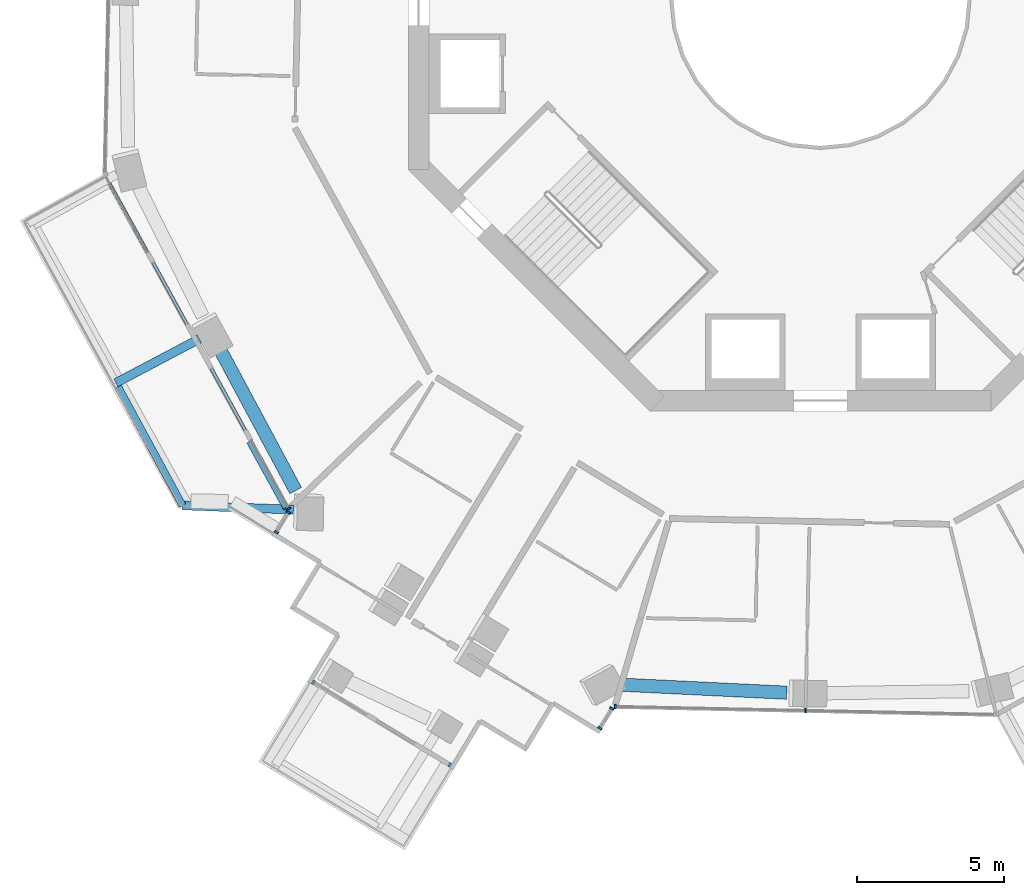
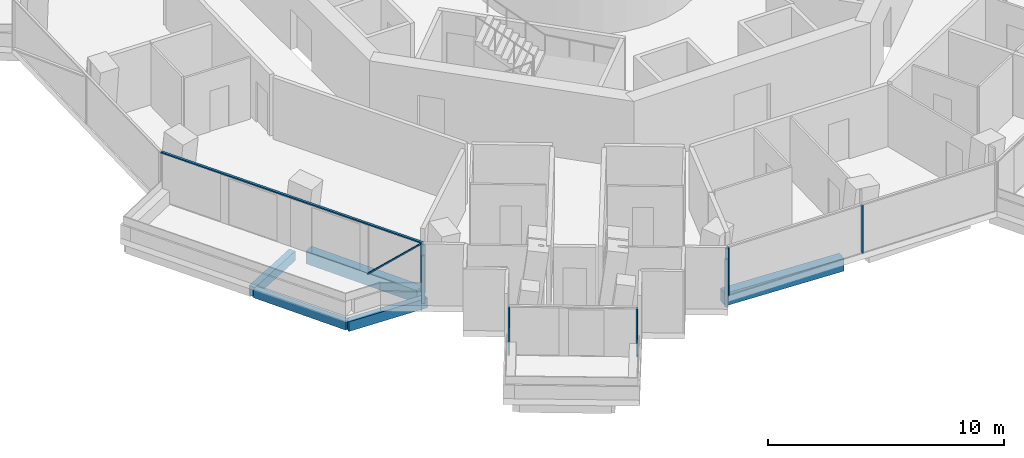
# One storey, part 2 of 22: 11 members, 5 beams, 5 elements without a shape of their own.
"""IFC4 building model written with IfcOpenShell, lengths in metres."""

from ifc_helpers import new_model, si_unit, direction, frame, origin, origin_2d, place, context, subcontext, project, spatial, rectangle, extrude, material, layer, layer_set, material_profile, profile_set, type_object, element, aggregate, save


model = new_model("IFC4")

# Units and contexts
model_context = context("Model", 3, precision=1e-05, world=origin(), true_north=direction((0.0, 1.0)))
body_context = subcontext(model_context, "Body", "Model", "MODEL_VIEW")
ifc_project = project(units=[si_unit("LENGTHUNIT", "METRE"), si_unit("AREAUNIT", "SQUARE_METRE"), si_unit("VOLUMEUNIT", "CUBIC_METRE"), si_unit("PLANEANGLEUNIT", "RADIAN"), si_unit("MASSUNIT", "GRAM", prefix="KILO")], contexts=[model_context])

# Site, building, storey
site_placement = place(None, origin())
site = spatial("IfcSite", under=ifc_project, at=site_placement, CompositionType="ELEMENT")
building_placement = place(site_placement, origin())
building = spatial("IfcBuilding", under=site, at=building_placement, Name="Verdalira Terraces Hotel", CompositionType="ELEMENT")
storey_placement = place(building_placement, frame((0.0, 0.0, 150.5)))
storey = spatial("IfcBuildingStorey", under=building, at=storey_placement, Name="L36", CompositionType="ELEMENT", Elevation=150.5)

# Beams
ifc_material_1 = material(Name="Concrete C40", Category="concrete")
ifc_material_profile_1 = material_profile(ifc_material_1, rectangle(XDim=0.300049, YDim=0.5, at=origin_2d()), Name="RC 300X500")
ifc_profile_set_1 = profile_set([ifc_material_profile_1], Name="Concrete C40")
beam_type_1 = type_object("IfcBeamType", Name="Balcony cantilever beam RC 300X500 C40", PredefinedType="BEAM", material=ifc_profile_set_1)
beam_1_placement = place(storey_placement, frame((-21.102783, -11.552734, -0.560059), z_axis=(-0.884243903, -0.467025396, 0.0), x_axis=(0.467025396, -0.884243903, 0.0)))
element("IfcBeam", 1, at=beam_1_placement, inside=storey, type_object=beam_type_1, Name="Balcony cantilever beam R13-2", PredefinedType="BEAM", context=body_context, shape_type="SweptSolid", body=[
    extrude(rectangle(XDim=0.300049, YDim=0.5, at=origin_2d()), origin(), (0.0, 0.0, 1.0), 3.200928),
])
beam_2_placement = place(storey_placement, frame((-17.908936, -17.354004, -0.560059), z_axis=(-0.999289407, 0.037691927, 0.0), x_axis=(-0.037691927, -0.999289407, 0.0)))
element("IfcBeam", 2, at=beam_2_placement, inside=storey, type_object=beam_type_1, Name="Balcony cantilever beam R13-3", PredefinedType="BEAM", context=body_context, shape_type="SweptSolid", body=[
    extrude(rectangle(XDim=0.300049, YDim=0.5, at=origin_2d()), origin(), (0.0, 0.0, 1.0), 3.769775),
])
ifc_material_2 = material(Name="Concrete C40", Category="concrete")
ifc_material_profile_2 = material_profile(ifc_material_2, rectangle(XDim=0.25, YDim=0.449951, at=origin_2d()), Name="RC 250X450")
ifc_profile_set_2 = profile_set([ifc_material_profile_2], Name="Concrete C40")
beam_type_2 = type_object("IfcBeamType", Name="Balcony edge beam RC 250X450 C40", PredefinedType="BEAM", material=ifc_profile_set_2)
beam_3_placement = place(storey_placement, frame((-23.861572, -13.179443, -0.534912), z_axis=(0.476500906, -0.87917398, 0.0), x_axis=(0.87917398, 0.476500906, 0.0)))
element("IfcBeam", 3, at=beam_3_placement, inside=storey, type_object=beam_type_2, Name="Balcony edge beam R13-2", PredefinedType="BEAM", context=body_context, shape_type="SweptSolid", body=[
    extrude(rectangle(XDim=0.25, YDim=0.449951, at=origin_2d()), origin(), (0.0, 0.0, 1.0), 4.58667),
])

# Curtain wall, member
ifc_material_3 = material(Name="Clear glass", Category="glass")
ifc_layer_1 = layer(ifc_material_3, 0.14990234375)
ifc_layer_set_1 = layer_set([ifc_layer_1], Name="CW1 curtain wall")
curtain_wall_type_1 = type_object("IfcCurtainWallType", Name="CW1 curtain wall", PredefinedType="NOTDEFINED", material=ifc_layer_set_1)
curtain_wall_1_placement = place(storey_placement, origin())
curtain_wall_1 = element("IfcCurtainWall", 4, at=curtain_wall_1_placement, inside=storey, type_object=curtain_wall_type_1, Name="CW1 curtain wall L36 edge 13", PredefinedType="NOTDEFINED")
ifc_material_4 = material(Name="Terracotta frame", Category="masonry")
ifc_material_profile_3 = material_profile(ifc_material_4, rectangle(XDim=0.060059, YDim=0.149902, at=origin_2d()), Name="MU 60x150")
ifc_profile_set_3 = profile_set([ifc_material_profile_3], Name="Terracotta frame")
member_type_1 = type_object("IfcMemberType", Name="CW1 mullion 60x150", PredefinedType="MULLION", material=ifc_profile_set_3)
member_1_placement = place(storey_placement, frame((-18.074951, -17.320068, 0.0), z_axis=(0.0, 0.0, 1.0), x_axis=(0.481753674, -0.87630668, 0.0)))
member_1 = element("IfcMember", 5, at=member_1_placement, type_object=member_type_1, Name="CW1 mullion", PredefinedType="MULLION", context=body_context, shape_type="SweptSolid", body=[
    extrude(rectangle(XDim=0.060059, YDim=0.149902, at=origin_2d()), origin(), (0.0, 0.0, 1.0), 2.475098),
])

# Curtain wall, members
curtain_wall_2_placement = place(storey_placement, origin())
curtain_wall_2 = element("IfcCurtainWall", 6, at=curtain_wall_2_placement, inside=storey, type_object=curtain_wall_type_1, Name="CW1 curtain wall L36 edge 25", PredefinedType="NOTDEFINED")
member_2_placement = place(storey_placement, frame((-6.975098, -24.04248, 0.0), z_axis=(0.0, 0.0, 1.0), x_axis=(0.999780683, -0.02094242, 0.0)))
member_2 = element("IfcMember", 7, at=member_2_placement, type_object=member_type_1, Name="CW1 mullion", PredefinedType="MULLION", context=body_context, shape_type="SweptSolid", body=[
    extrude(rectangle(XDim=0.060059, YDim=0.149902, at=origin_2d()), origin(), (0.0, 0.0, 1.0), 2.475098),
])
member_3_placement = place(storey_placement, frame((-0.506348, -24.177979, 0.0), z_axis=(0.0, 0.0, 1.0), x_axis=(0.999780683, -0.02094242, 0.0)))
member_3 = element("IfcMember", 8, at=member_3_placement, type_object=member_type_1, Name="CW1 mullion", PredefinedType="MULLION", context=body_context, shape_type="SweptSolid", body=[
    extrude(rectangle(XDim=0.060059, YDim=0.149902, at=origin_2d()), origin(), (0.0, 0.0, 1.0), 2.475098),
])
aggregate(curtain_wall_2, [member_2, member_3])

# Member
ifc_material_5 = material(Name="Terracotta frame", Category="masonry")
ifc_material_profile_4 = material_profile(ifc_material_5, rectangle(XDim=0.110107, YDim=0.064941, at=origin_2d()), Name="TR 65x110")
ifc_profile_set_4 = profile_set([ifc_material_profile_4], Name="Terracotta frame")
member_type_2 = type_object("IfcMemberType", Name="CW1 transom 65x110", PredefinedType="USERDEFINED", material=ifc_profile_set_4)
member_4_placement = place(storey_placement, frame((-24.303955, -5.989746, 2.507568), z_axis=(0.481754583, -0.87630618, 0.0), x_axis=(0.87630618, 0.481754583, 0.0)))
member_4 = element("IfcMember", 9, at=member_4_placement, type_object=member_type_2, Name="CW1 transom", ObjectType="TRANSOM", PredefinedType="USERDEFINED", context=body_context, shape_type="SweptSolid", body=[
    extrude(rectangle(XDim=0.110107, YDim=0.064941, at=origin_2d()), origin(), (0.0, 0.0, 1.0), 12.959717),
])

# Curtain wall, members
ifc_material_6 = material(Name="Clear glass", Category="glass")
ifc_layer_2 = layer(ifc_material_6, 0.14990234375)
ifc_layer_set_2 = layer_set([ifc_layer_2], Name="CW2 curtain wall")
curtain_wall_type_2 = type_object("IfcCurtainWallType", Name="CW2 curtain wall", PredefinedType="NOTDEFINED", material=ifc_layer_set_2)
curtain_wall_3_placement = place(storey_placement, origin())
curtain_wall_3 = element("IfcCurtainWall", 10, at=curtain_wall_3_placement, inside=storey, type_object=curtain_wall_type_2, Name="CW2 curtain wall L36 edge 14", PredefinedType="NOTDEFINED")
ifc_material_7 = material(Name="Terracotta frame", Category="masonry")
ifc_material_profile_5 = material_profile(ifc_material_7, rectangle(XDim=0.070068, YDim=0.149902, at=origin_2d()), Name="MU 70x150")
ifc_profile_set_5 = profile_set([ifc_material_profile_5], Name="Terracotta frame")
member_type_3 = type_object("IfcMemberType", Name="CW2 mullion 70x150", PredefinedType="MULLION", material=ifc_profile_set_5)
member_5_placement = place(storey_placement, frame((-18.080322, -17.451416, 0.0), z_axis=(0.0, 0.0, 1.0), x_axis=(-0.518027009, -0.85536426, 0.0)))
member_5 = element("IfcMember", 11, at=member_5_placement, type_object=member_type_3, Name="CW2 mullion", PredefinedType="MULLION", context=body_context, shape_type="SweptSolid", body=[
    extrude(rectangle(XDim=0.070068, YDim=0.149902, at=origin_2d()), origin(), (0.0, 0.0, 1.0), 2.475098),
])
member_6_placement = place(storey_placement, frame((-18.484375, -18.118408, 0.0), z_axis=(0.0, 0.0, 1.0), x_axis=(-0.518027009, -0.85536426, 0.0)))
member_6 = element("IfcMember", 12, at=member_6_placement, type_object=member_type_3, Name="CW2 mullion", PredefinedType="MULLION", context=body_context, shape_type="SweptSolid", body=[
    extrude(rectangle(XDim=0.070068, YDim=0.149902, at=origin_2d()), origin(), (0.0, 0.0, 1.0), 2.475098),
])
aggregate(curtain_wall_3, [member_5, member_6])

curtain_wall_4_placement = place(storey_placement, origin())
curtain_wall_4 = element("IfcCurtainWall", 13, at=curtain_wall_4_placement, inside=storey, type_object=curtain_wall_type_2, Name="CW2 curtain wall L36 edge 24", PredefinedType="NOTDEFINED")
member_7_placement = place(storey_placement, frame((-7.49292, -24.775146, 0.0), z_axis=(0.0, 0.0, 1.0), x_axis=(0.518027009, 0.85536426, 0.0)))
member_7 = element("IfcMember", 14, at=member_7_placement, type_object=member_type_3, Name="CW2 mullion", PredefinedType="MULLION", context=body_context, shape_type="SweptSolid", body=[
    extrude(rectangle(XDim=0.070068, YDim=0.149902, at=origin_2d()), origin(), (0.0, 0.0, 1.0), 2.475098),
])
member_8_placement = place(storey_placement, frame((-7.088867, -24.10791, 0.0), z_axis=(0.0, 0.0, 1.0), x_axis=(0.518027009, 0.85536426, 0.0)))
member_8 = element("IfcMember", 15, at=member_8_placement, type_object=member_type_3, Name="CW2 mullion", PredefinedType="MULLION", context=body_context, shape_type="SweptSolid", body=[
    extrude(rectangle(XDim=0.070068, YDim=0.149902, at=origin_2d()), origin(), (0.0, 0.0, 1.0), 2.475098),
])
aggregate(curtain_wall_4, [member_7, member_8])

ifc_material_8 = material(Name="Clear glass", Category="glass")
ifc_layer_3 = layer(ifc_material_8, 0.14990234375)
ifc_layer_set_3 = layer_set([ifc_layer_3], Name="CW3 curtain wall")
curtain_wall_type_3 = type_object("IfcCurtainWallType", Name="CW3 curtain wall", PredefinedType="NOTDEFINED", material=ifc_layer_set_3)
curtain_wall_5_placement = place(storey_placement, origin())
curtain_wall_5 = element("IfcCurtainWall", 16, at=curtain_wall_5_placement, inside=storey, type_object=curtain_wall_type_3, Name="CW3 curtain wall L36 edge 19", PredefinedType="NOTDEFINED")
ifc_material_9 = material(Name="Terracotta frame", Category="masonry")
ifc_material_profile_6 = material_profile(ifc_material_9, rectangle(XDim=0.080078, YDim=0.149902, at=origin_2d()), Name="MU 80x150")
ifc_profile_set_6 = profile_set([ifc_material_profile_6], Name="Terracotta frame")
member_type_4 = type_object("IfcMemberType", Name="CW3 mullion 80x150", PredefinedType="MULLION", material=ifc_profile_set_6)
member_9_placement = place(storey_placement, frame((-17.228516, -23.216309, 0.0), z_axis=(0.0, 0.0, 1.0), x_axis=(0.85536426, -0.518027009, 0.0)))
member_9 = element("IfcMember", 17, at=member_9_placement, type_object=member_type_4, Name="CW3 mullion", PredefinedType="MULLION", context=body_context, shape_type="SweptSolid", body=[
    extrude(rectangle(XDim=0.080078, YDim=0.149902, at=origin_2d()), origin(), (0.0, 0.0, 1.0), 2.475098),
])
member_10_placement = place(storey_placement, frame((-12.592529, -26.02417, 0.0), z_axis=(0.0, 0.0, 1.0), x_axis=(0.85536426, -0.518027009, 0.0)))
member_10 = element("IfcMember", 18, at=member_10_placement, type_object=member_type_4, Name="CW3 mullion", PredefinedType="MULLION", context=body_context, shape_type="SweptSolid", body=[
    extrude(rectangle(XDim=0.080078, YDim=0.149902, at=origin_2d()), origin(), (0.0, 0.0, 1.0), 2.475098),
])
aggregate(curtain_wall_5, [member_9, member_10])

# Member
ifc_material_10 = material(Name="Terracotta frame", Category="masonry")
ifc_material_profile_7 = material_profile(ifc_material_10, rectangle(XDim=0.149902, YDim=0.060059, at=origin_2d()), Name="GB 60x150")
ifc_profile_set_7 = profile_set([ifc_material_profile_7], Name="Terracotta frame")
member_type_5 = type_object("IfcMemberType", Name="Diagonal glazing bar 60x150", PredefinedType="USERDEFINED", material=ifc_profile_set_7)
member_11_placement = place(storey_placement, frame((-19.4104, -15.075684, 0.023193), z_axis=(0.349202031, -0.635252713, 0.688848265), x_axis=(0.876324793, 0.481720725, 0.0)))
member_11 = element("IfcMember", 19, at=member_11_placement, type_object=member_type_5, Name="Diagonal glazing bar", ObjectType="GLAZING BAR", PredefinedType="USERDEFINED", context=body_context, shape_type="SweptSolid", body=[
    extrude(rectangle(XDim=0.149902, YDim=0.060059, at=origin_2d()), origin(), (0.0, 0.0, 1.0), 3.525635),
])

aggregate(curtain_wall_1, [member_1, member_4, member_11])

# Beams
ifc_material_11 = material(Name="Concrete C50", Category="concrete")
ifc_material_profile_8 = material_profile(ifc_material_11, rectangle(XDim=0.449951, YDim=0.649902, at=origin_2d()), Name="RC 450X650")
ifc_profile_set_8 = profile_set([ifc_material_profile_8], Name="Concrete C50")
beam_type_3 = type_object("IfcBeamType", Name="Spandrel beam RC 450X650 C50", PredefinedType="SPANDREL", material=ifc_profile_set_8)
beam_4_placement = place(storey_placement, frame((-20.448975, -11.81958, -0.63501), z_axis=(0.472673443, -0.881237661, 0.0), x_axis=(0.881237661, 0.472673443, 0.0)))
element("IfcBeam", 20, at=beam_4_placement, inside=storey, type_object=beam_type_3, Name="Spandrel beam B07", PredefinedType="SPANDREL", context=body_context, shape_type="SweptSolid", body=[
    extrude(rectangle(XDim=0.449951, YDim=0.649902, at=origin_2d()), origin(), (0.0, 0.0, 1.0), 5.544678),
])
beam_5_placement = place(storey_placement, frame((-6.810303, -23.298828, -0.63501), z_axis=(0.998830927, -0.048340249, 0.0), x_axis=(0.048340249, 0.998830927, 0.0)))
element("IfcBeam", 21, at=beam_5_placement, inside=storey, type_object=beam_type_3, Name="Spandrel beam B09", PredefinedType="SPANDREL", context=body_context, shape_type="SweptSolid", body=[
    extrude(rectangle(XDim=0.449951, YDim=0.649902, at=origin_2d()), origin(), (0.0, 0.0, 1.0), 5.671631),
])

save(model, "model.ifc")
